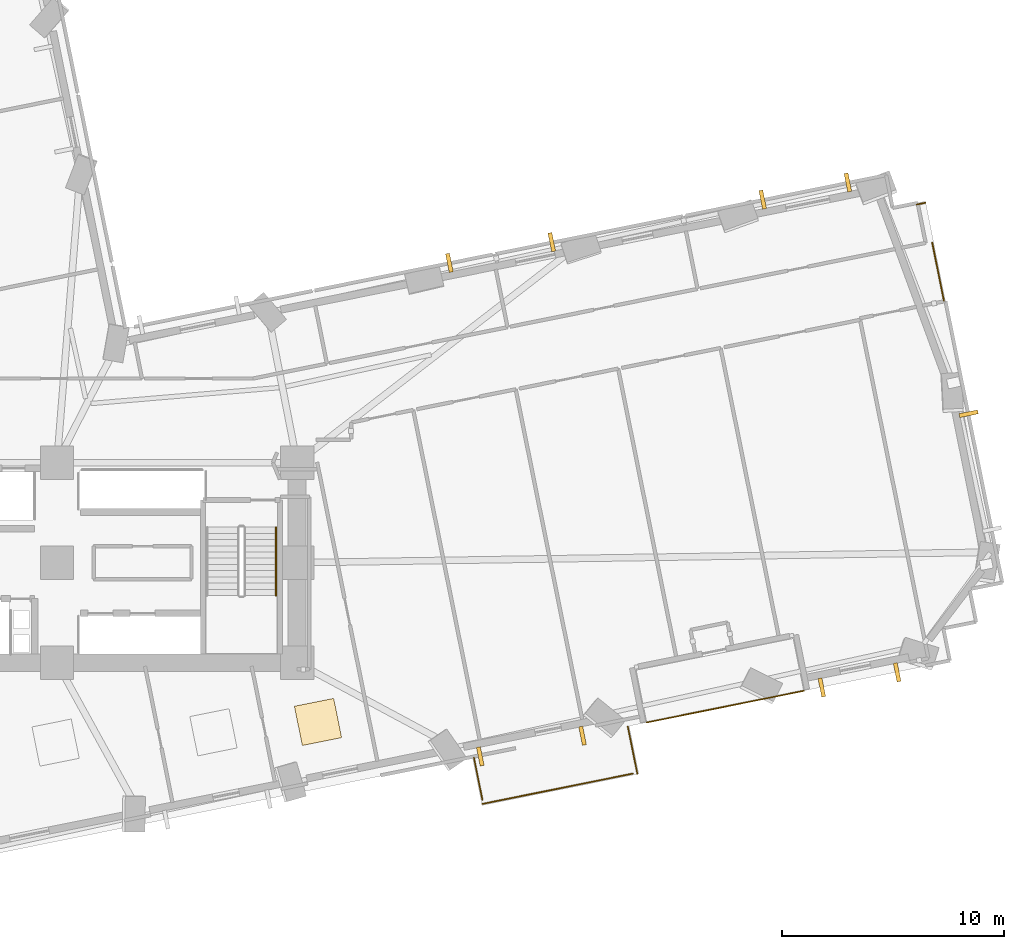
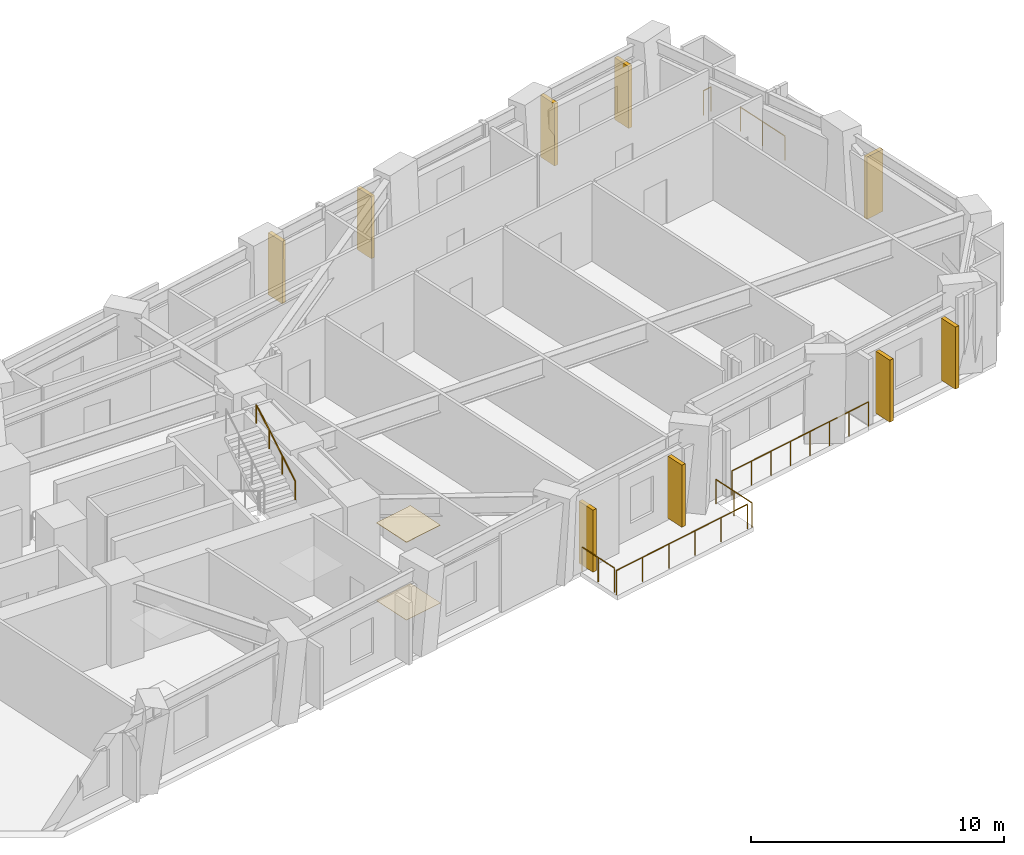
# One storey, part 14 of 16: 9 shading devices, 7 railings, 2 coverings.
"""IFC4 building model written with IfcOpenShell, lengths in metres."""

from ifc_helpers import new_model, si_unit, direction, frame, origin, origin_2d, place, context, subcontext, project, spatial, rectangle, circle, extrude, material, layer, layer_set, type_object, element, save


model = new_model("IFC4")

# Units and contexts
model_context = context("Model", 3, precision=1e-05, world=origin(), true_north=direction((0.0, 1.0)))
body_context = subcontext(model_context, "Body", "Model", "MODEL_VIEW")
ifc_project = project(units=[si_unit("LENGTHUNIT", "METRE"), si_unit("AREAUNIT", "SQUARE_METRE"), si_unit("VOLUMEUNIT", "CUBIC_METRE"), si_unit("PLANEANGLEUNIT", "RADIAN"), si_unit("MASSUNIT", "GRAM", prefix="KILO")], contexts=[model_context])

# Site, building, storey
site_placement = place(None, origin())
site = spatial("IfcSite", under=ifc_project, at=site_placement, CompositionType="ELEMENT")
building_placement = place(site_placement, origin())
building = spatial("IfcBuilding", under=site, at=building_placement, Name="Gaonmaruhae Medical Tower", CompositionType="ELEMENT")
storey_placement = place(building_placement, frame((0.0, 0.0, 71.0)))
storey = spatial("IfcBuildingStorey", under=building, at=storey_placement, Name="L16", CompositionType="ELEMENT", Elevation=71.0)

# Coverings
ifc_material_1 = material(Name="Acoustic mineral ceiling tile", Category="finish")
ifc_layer_1 = layer(ifc_material_1, 0.02490234375)
ifc_layer_set_1 = layer_set([ifc_layer_1], Name="Acoustic mineral ceiling tile")
covering_type_1 = type_object("IfcCoveringType", Name="CLG-01 Antimicrobial Acoustic Mineral Ceiling", PredefinedType="CEILING", material=ifc_layer_set_1)
covering_1_placement = place(storey_placement, frame((36.53955078125, 5.13720703125, 3.755126953125), z_axis=(0.0, 0.0, 1.0), x_axis=(0.980271174622, 0.197657340379, 0.0)))
element("IfcCovering", 1, at=covering_1_placement, inside=storey, type_object=covering_type_1, Name="L16 Clinical Room Acoustic Ceiling 4", PredefinedType="CEILING", context=body_context, shape_type="SweptSolid", body=[
    extrude(rectangle(XDim=1.800048828125, YDim=1.800048828125, at=origin_2d()), origin(), (0.0, 0.0, 1.0), 0.02490234375),
])
ifc_material_2 = material(Name="Seamless clinical vinyl flooring", Category="finish")
ifc_layer_2 = layer(ifc_material_2, 0.014892578125)
ifc_layer_set_2 = layer_set([ifc_layer_2], Name="Seamless clinical vinyl flooring")
covering_type_2 = type_object("IfcCoveringType", Name="FLR-01 Seamless Clinical Antistatic Vinyl Flooring", PredefinedType="FLOORING", material=ifc_layer_set_2)
covering_2_placement = place(storey_placement, frame((36.53955078125, 5.13720703125, 0.0), z_axis=(0.0, 0.0, 1.0), x_axis=(0.980271174622, 0.197657340379, 0.0)))
element("IfcCovering", 2, at=covering_2_placement, inside=storey, type_object=covering_type_2, Name="L16 Clinical Room Vinyl Flooring 4", PredefinedType="FLOORING", context=body_context, shape_type="SweptSolid", body=[
    extrude(rectangle(XDim=1.800048828125, YDim=1.800048828125, at=origin_2d()), origin(), (0.0, 0.0, 1.0), 0.014892578125),
])

# Railings
ifc_material_3 = material(Name="Stainless steel 316L and laminated safety glass", Category="steel")
ifc_layer_3 = layer(ifc_material_3, 0.080078125)
ifc_layer_set_3 = layer_set([ifc_layer_3], Name="Stainless steel 316L and laminated safety glass")
railing_type_1 = type_object("IfcRailingType", Name="GD-120 Outdoor Terrace Safety Glass & Steel Balustrade", PredefinedType="BALUSTRADE", material=ifc_layer_set_3)
railing_1_placement = place(storey_placement, frame((51.321533203125, 5.114501953125, 0.0)))
element("IfcRailing", 3, at=railing_1_placement, inside=storey, type_object=railing_type_1, Name="L16 Terrace Safety Guard RL-SLB-L16-TER-01", PredefinedType="BALUSTRADE", context=body_context, shape_type="SweptSolid", body=[
    extrude(circle(Radius=0.02392578125, at=origin_2d()), frame((0.0, 0.0, 1.17578125), z_axis=(0.980273004482, 0.197648265068, 0.0), x_axis=(-0.197648265068, 0.980273004482, 0.0)), (0.0, 0.0, 1.0), 7.2001953125),
    extrude(circle(Radius=0.02099609375, at=origin_2d()), origin(), (0.0, 0.0, 1.0), 1.15185546875),
    extrude(circle(Radius=0.02099609375, at=origin_2d()), frame((1.00830078125, 0.203369140625, 0.0)), (0.0, 0.0, 1.0), 1.15185546875),
    extrude(circle(Radius=0.02099609375, at=origin_2d()), frame((2.0166015625, 0.406494140625, 0.0)), (0.0, 0.0, 1.0), 1.15185546875),
    extrude(circle(Radius=0.02099609375, at=origin_2d()), frame((3.02490234375, 0.60986328125, 0.0)), (0.0, 0.0, 1.0), 1.15185546875),
    extrude(circle(Radius=0.02099609375, at=origin_2d()), frame((4.033203125, 0.813232421875, 0.0)), (0.0, 0.0, 1.0), 1.15185546875),
    extrude(circle(Radius=0.02099609375, at=origin_2d()), frame((5.04150390625, 1.0166015625, 0.0)), (0.0, 0.0, 1.0), 1.15185546875),
    extrude(circle(Radius=0.02099609375, at=origin_2d()), frame((6.0498046875, 1.2197265625, 0.0)), (0.0, 0.0, 1.0), 1.15185546875),
    extrude(circle(Radius=0.02099609375, at=origin_2d()), frame((7.05810546875, 1.423095703125, 0.0)), (0.0, 0.0, 1.0), 1.15185546875),
])
railing_2_placement = place(storey_placement, frame((63.46337890625, 28.40380859375, 0.0)))
element("IfcRailing", 4, at=railing_2_placement, inside=storey, type_object=railing_type_1, Name="L16 Perimeter Slab Edge Safety Balustrade 07", PredefinedType="BALUSTRADE", context=body_context, shape_type="SweptSolid", body=[
    extrude(circle(Radius=0.02392578125, at=origin_2d()), frame((0.0, 0.0, 1.17578125), z_axis=(0.980221123545, 0.197905404058, 0.0), x_axis=(-0.197905404058, 0.980221123545, 0.0)), (0.0, 0.0, 1.0), 0.3935546875),
    extrude(circle(Radius=0.02099609375, at=origin_2d()), origin(), (0.0, 0.0, 1.0), 1.15185546875),
    extrude(circle(Radius=0.02099609375, at=origin_2d()), frame((0.3857421875, 0.077880859375, 0.0)), (0.0, 0.0, 1.0), 1.15185546875),
])
railing_3_placement = place(storey_placement, frame((64.15869140625, 26.693115234375, 0.0)))
element("IfcRailing", 5, at=railing_3_placement, inside=storey, type_object=railing_type_1, Name="L16 Perimeter Slab Edge Safety Balustrade 08", PredefinedType="BALUSTRADE", context=body_context, shape_type="SweptSolid", body=[
    extrude(circle(Radius=0.02392578125, at=origin_2d()), frame((0.0, 0.0, 1.17578125), z_axis=(0.197704460871, -0.980261672285, 0.0), x_axis=(0.980261672285, 0.197704460871, 0.0)), (0.0, 0.0, 1.0), 2.659912109375),
    extrude(circle(Radius=0.02099609375, at=origin_2d()), origin(), (0.0, 0.0, 1.0), 1.15185546875),
    extrude(circle(Radius=0.02099609375, at=origin_2d()), frame((0.262939453125, -1.3037109375, 0.0)), (0.0, 0.0, 1.0), 1.15185546875),
    extrude(circle(Radius=0.02099609375, at=origin_2d()), frame((0.52587890625, -2.607421875, 0.0)), (0.0, 0.0, 1.0), 1.15185546875),
])
railing_4_placement = place(storey_placement, frame((50.47265625, 4.9228515625, 0.0)))
element("IfcRailing", 6, at=railing_4_placement, inside=storey, type_object=railing_type_1, Name="L16 Perimeter Slab Edge Safety Balustrade 09", PredefinedType="BALUSTRADE", context=body_context, shape_type="SweptSolid", body=[
    extrude(circle(Radius=0.02392578125, at=origin_2d()), frame((0.0, 0.0, 1.17578125), z_axis=(0.197680847888, -0.980266434383, 0.0), x_axis=(0.980266434383, 0.197680847888, 0.0)), (0.0, 0.0, 1.0), 2.16015625),
    extrude(circle(Radius=0.02099609375, at=origin_2d()), origin(), (0.0, 0.0, 1.0), 1.15185546875),
    extrude(circle(Radius=0.02099609375, at=origin_2d()), frame((0.21337890625, -1.05859375, 0.0)), (0.0, 0.0, 1.0), 1.15185546875),
    extrude(circle(Radius=0.02099609375, at=origin_2d()), frame((0.427001953125, -2.117431640625, 0.0)), (0.0, 0.0, 1.0), 1.15185546875),
])
railing_5_placement = place(storey_placement, frame((50.692626953125, 2.814697265625, 0.0)))
element("IfcRailing", 7, at=railing_5_placement, inside=storey, type_object=railing_type_1, Name="L16 Perimeter Slab Edge Safety Balustrade 10", PredefinedType="BALUSTRADE", context=body_context, shape_type="SweptSolid", body=[
    extrude(circle(Radius=0.02392578125, at=origin_2d()), frame((0.0, 0.0, 1.17578125), z_axis=(-0.980273674699, -0.197644940973, 0.0), x_axis=(0.197644940973, -0.980273674699, 0.0)), (0.0, 0.0, 1.0), 6.90869140625),
    extrude(circle(Radius=0.02099609375, at=origin_2d()), origin(), (0.0, 0.0, 1.0), 1.15185546875),
    extrude(circle(Radius=0.02099609375, at=origin_2d()), frame((-1.3544921875, -0.273193359375, 0.0)), (0.0, 0.0, 1.0), 1.15185546875),
    extrude(circle(Radius=0.02099609375, at=origin_2d()), frame((-2.708984375, -0.546142578125, 0.0)), (0.0, 0.0, 1.0), 1.15185546875),
    extrude(circle(Radius=0.02099609375, at=origin_2d()), frame((-4.0634765625, -0.8193359375, 0.0)), (0.0, 0.0, 1.0), 1.15185546875),
    extrude(circle(Radius=0.02099609375, at=origin_2d()), frame((-5.41796875, -1.09228515625, 0.0)), (0.0, 0.0, 1.0), 1.15185546875),
    extrude(circle(Radius=0.02099609375, at=origin_2d()), frame((-6.7724609375, -1.365478515625, 0.0)), (0.0, 0.0, 1.0), 1.15185546875),
])
railing_6_placement = place(storey_placement, frame((43.931884765625, 1.643798828125, 0.0)))
element("IfcRailing", 8, at=railing_6_placement, inside=storey, type_object=railing_type_1, Name="L16 Perimeter Slab Edge Safety Balustrade 11", PredefinedType="BALUSTRADE", context=body_context, shape_type="SweptSolid", body=[
    extrude(circle(Radius=0.02392578125, at=origin_2d()), frame((0.0, 0.0, 1.17578125), z_axis=(-0.197704117914, 0.980261741455, 0.0), x_axis=(-0.980261741455, -0.197704117914, 0.0)), (0.0, 0.0, 1.0), 1.92138671875),
    extrude(circle(Radius=0.02099609375, at=origin_2d()), origin(), (0.0, 0.0, 1.0), 1.15185546875),
    extrude(circle(Radius=0.02099609375, at=origin_2d()), frame((-0.18994140625, 0.94189453125, 0.0)), (0.0, 0.0, 1.0), 1.15185546875),
    extrude(circle(Radius=0.02099609375, at=origin_2d()), frame((-0.3798828125, 1.883544921875, 0.0)), (0.0, 0.0, 1.0), 1.15185546875),
])
ifc_material_4 = material(Name="Stainless steel 304 handrail", Category="steel")
railing_type_2 = type_object("IfcRailingType", Name="HR-092 Continuous Stainless Steel Stair Handrail", PredefinedType="HANDRAIL", material=ifc_material_4)
railing_7_placement = place(storey_placement, frame((34.64990234375, 10.820068359375, 2.166748046875)))
element("IfcRailing", 9, at=railing_7_placement, inside=storey, type_object=railing_type_2, Name="L16 ST-02 stair handrail 2", PredefinedType="HANDRAIL", context=body_context, shape_type="SweptSolid", body=[
    extrude(circle(Radius=0.02392578125, at=origin_2d()), frame((0.0, 0.0, 0.8759765625), z_axis=(0.0, 0.859290745958, 0.51148745235), x_axis=(-1.0, 0.0, 0.0)), (0.0, 0.0, 1.0), 3.584228515625),
    extrude(circle(Radius=0.02099609375, at=origin_2d()), origin(), (0.0, 0.0, 1.0), 0.851806640625),
    extrude(circle(Radius=0.02099609375, at=origin_2d()), frame((0.0, 1.026611328125, 0.611083984375)), (0.0, 0.0, 1.0), 0.851806640625),
    extrude(circle(Radius=0.02099609375, at=origin_2d()), frame((0.0, 2.05322265625, 1.22216796875)), (0.0, 0.0, 1.0), 0.851806640625),
    extrude(circle(Radius=0.02099609375, at=origin_2d()), frame((0.0, 3.079833984375, 1.833251953125)), (0.0, 0.0, 1.0), 0.851806640625),
])

# Shading devices
ifc_material_5 = material(Name="Pigmented coral precast concrete C45/55", Category="concrete")
shading_device_type = type_object("IfcShadingDeviceType", Name="SD-FIN1 Tower Vertical Coral Precast Shading Fin", PredefinedType="USERDEFINED", material=ifc_material_5)
for number, where, z_axis, x_axis, name in (
    (10, (48.435302734375, 4.51708984375, 0.08251953125), (0.0, 0.0, 1.0), (-0.980271174622, -0.197657340379, 0.0), "L16 Vertical Coral Precast Shading Fin S05"),
    (11, (43.835205078125, 3.589599609375, 0.08251953125), (0.0, 0.0, 1.0), (-0.980271174622, -0.197657340379, 0.0), "L16 Vertical Coral Precast Shading Fin S05B"),
    (12, (62.581787109375, 7.36962890625, 0.072509765625), (0.0, 0.0, 1.0), (-0.980271174622, -0.197657340379, 0.0), "L16 Vertical Coral Precast Shading Fin S07"),
    (13, (59.196044921875, 6.68701171875, 0.072509765625), (0.0, 0.0, 1.0), (-0.980271174622, -0.197657340379, 0.0), "L16 Vertical Coral Precast Shading Fin S07B"),
    (14, (65.79736328125, 18.99658203125, 0.08251953125), (0.0, 0.0, 1.0), (0.197657340379, -0.980271174622, 0.0), "L16 Vertical Coral Precast Shading Fin E01"),
    (15, (56.5361328125, 28.623779296875, 0.08251953125), (0.0, 0.0, 1.0), (0.980271174622, 0.197657340379, 0.0), "L16 Vertical Coral Precast Shading Fin E03"),
    (16, (60.3681640625, 29.396484375, 0.08251953125), (0.0, 0.0, 1.0), (0.980271174622, 0.197657340379, 0.0), "L16 Vertical Coral Precast Shading Fin E03B"),
    (17, (42.445556640625, 25.78271484375, 0.08251953125), (0.0, 0.0, 1.0), (0.980271174622, 0.197657340379, 0.0), "L16 Vertical Coral Precast Shading Fin EN02"),
    (18, (47.05224609375, 26.711669921875, 0.08251953125), (0.0, 0.0, 1.0), (0.980271174622, 0.197657340379, 0.0), "L16 Vertical Coral Precast Shading Fin EN02B"),
):
    element("IfcShadingDevice", number, at=place(storey_placement, frame(where, z_axis=z_axis, x_axis=x_axis)), inside=storey, type_object=shading_device_type, Name=name, ObjectType="FIN", PredefinedType="USERDEFINED", context=body_context, shape_type="SweptSolid", body=[
        extrude(rectangle(XDim=0.179931640625, YDim=0.85009765625, at=origin_2d()), origin(), (0.0, 0.0, 1.0), 3.0),
    ])

save(model, "model.ifc")
